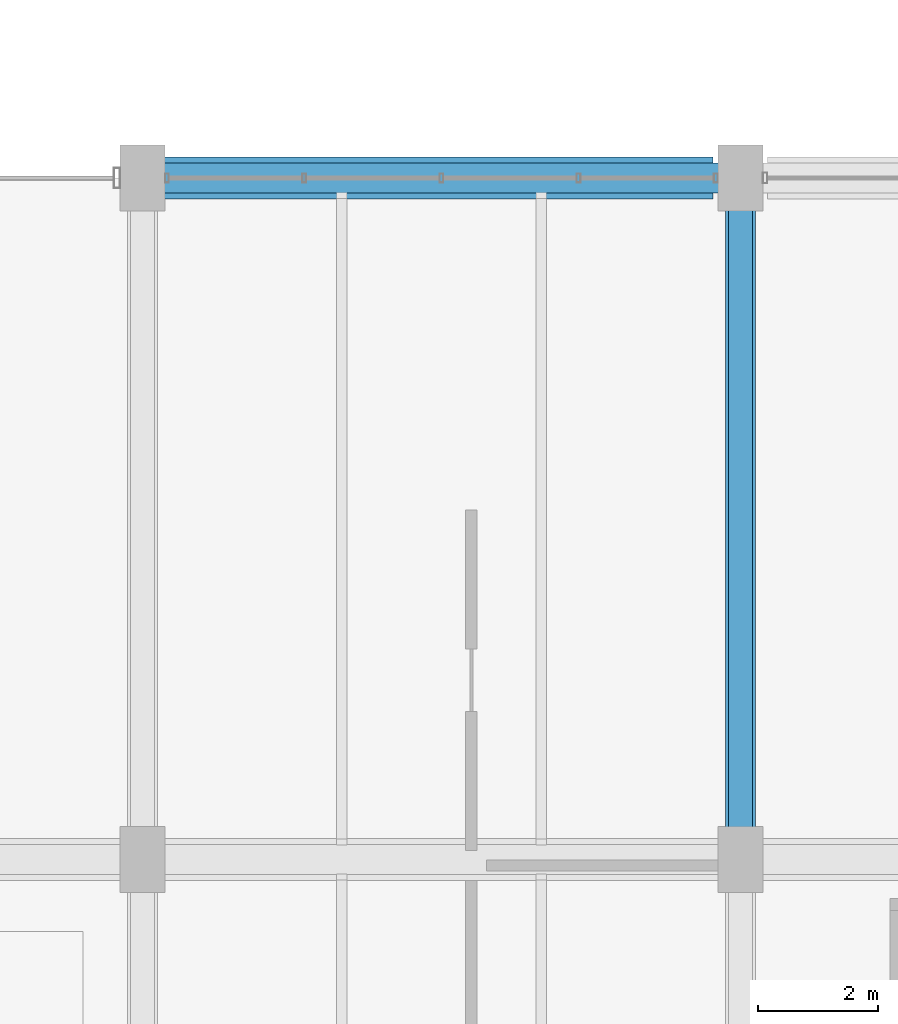
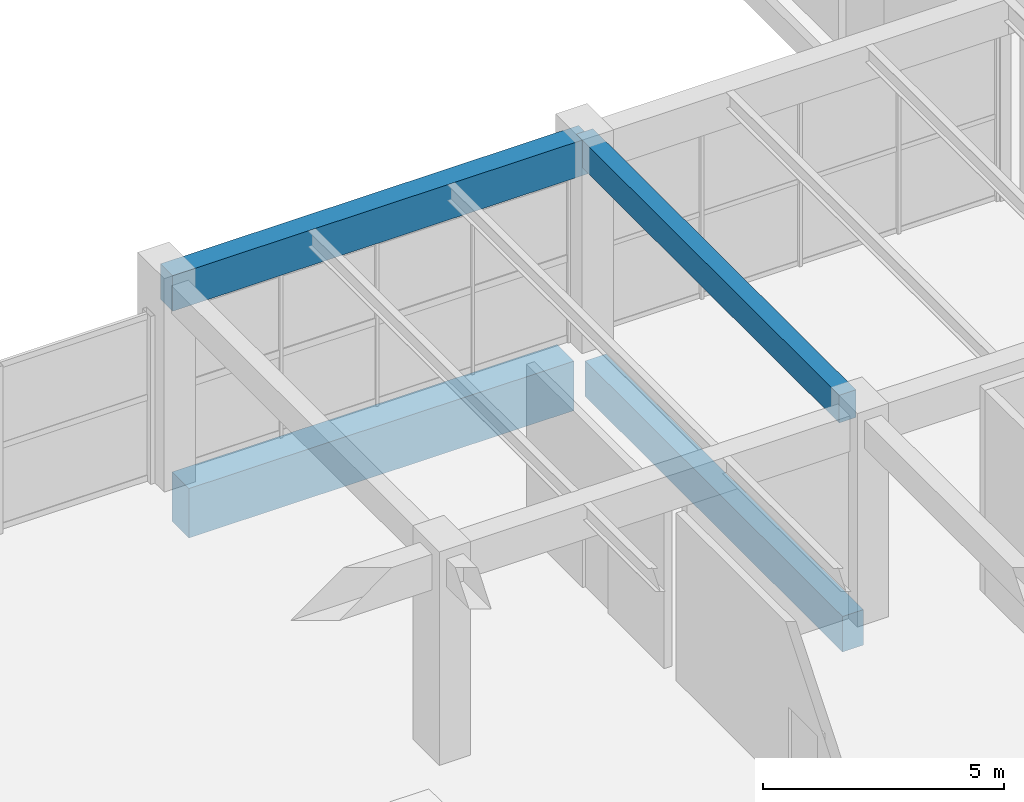
# One storey, part 40 of 113: 4 beams.
"""IFC4 building model written with IfcOpenShell, lengths in metres."""

from ifc_helpers import new_model, si_unit, direction, frame, origin, origin_2d, place, context, subcontext, project, spatial, rectangle, extrude, material, material_profile, profile_set, type_object, element, save


model = new_model("IFC4")

# Units and contexts
model_context = context("Model", 3, precision=1e-05, world=origin(), true_north=direction((0.0, 1.0)))
body_context = subcontext(model_context, "Body", "Model", "MODEL_VIEW")
ifc_project = project(units=[si_unit("LENGTHUNIT", "METRE"), si_unit("AREAUNIT", "SQUARE_METRE"), si_unit("VOLUMEUNIT", "CUBIC_METRE"), si_unit("PLANEANGLEUNIT", "RADIAN"), si_unit("MASSUNIT", "GRAM", prefix="KILO"), si_unit("POWERUNIT", "WATT"), si_unit("THERMODYNAMICTEMPERATUREUNIT", "KELVIN")], contexts=[model_context])

# Site, building, storey
site_placement = place(None, origin())
site = spatial("IfcSite", under=ifc_project, at=site_placement, CompositionType="ELEMENT")
building_placement = place(site_placement, origin())
building = spatial("IfcBuilding", under=site, at=building_placement, Name="Kelmbourne Parkland Aquatics Centre", CompositionType="ELEMENT")
storey_placement = place(building_placement, origin())
storey = spatial("IfcBuildingStorey", under=building, at=storey_placement, Name="L00", CompositionType="ELEMENT", Elevation=0.0)

# Beams
ifc_material_1 = material(Name="Concrete C40/50", Category="concrete")
ifc_material_profile_1 = material_profile(ifc_material_1, rectangle(XDim=0.5, YDim=0.89990234375, at=origin_2d()), Name="RC 500x900")
ifc_profile_set_1 = profile_set([ifc_material_profile_1], Name="Concrete C40/50")
beam_type_1 = type_object("IfcBeamType", Name="BM-G03", PredefinedType="BEAM", material=ifc_profile_set_1)
beam_1_placement = place(storey_placement, frame((86.0, 12.47998046875, -0.72998046875), z_axis=(0.0, 1.0, 0.0), x_axis=(-1.0, 0.0, 0.0)))
element("IfcBeam", 1, at=beam_1_placement, inside=storey, type_object=beam_type_1, Name="Primary girder 03-04 Grid K (L00)", PredefinedType="BEAM", context=body_context, shape_type="SweptSolid", body=[
    extrude(rectangle(XDim=0.5, YDim=0.89990234375, at=origin_2d()), origin(), (0.0, 0.0, 1.0), 10.6650390625),
])
beam_2_placement = place(storey_placement, frame((76.0, 23.60009765625, 4.7099609375), z_axis=(1.0, 0.0, 0.0), x_axis=(0.0, 1.0, 0.0)))
element("IfcBeam", 2, at=beam_2_placement, inside=storey, type_object=beam_type_1, Name="Primary girder J-K Grid 04 (L01)", PredefinedType="BEAM", context=body_context, shape_type="SweptSolid", body=[
    extrude(rectangle(XDim=0.5, YDim=0.89990234375, at=origin_2d()), origin(), (0.0, 0.0, 1.0), 10.0),
])
ifc_material_profile_2 = material_profile(ifc_material_1, rectangle(XDim=0.39990234375, YDim=0.699951171875, at=origin_2d()), Name="RC 400x700")
ifc_profile_set_2 = profile_set([ifc_material_profile_2], Name="Concrete C40/50")
beam_type_2 = type_object("IfcBeamType", Name="BM-G05", PredefinedType="BEAM", material=ifc_profile_set_2)
beam_3_placement = place(storey_placement, frame((86.0, 12.705078125, 4.81005859375), z_axis=(0.0, 1.0, 0.0), x_axis=(-1.0, 0.0, 0.0)))
element("IfcBeam", 3, at=beam_3_placement, inside=storey, type_object=beam_type_2, Name="Primary girder 03-04 Grid K (L01)", PredefinedType="BEAM", context=body_context, shape_type="SweptSolid", body=[
    extrude(rectangle(XDim=0.39990234375, YDim=0.699951171875, at=origin_2d()), origin(), (0.0, 0.0, 1.0), 10.89501953125),
])
ifc_material_2 = material(Name="Concrete C50/60", Category="concrete")
ifc_material_profile_3 = material_profile(ifc_material_2, rectangle(XDim=0.699951171875, YDim=1.25, at=origin_2d()), Name="RC 700x1250")
ifc_profile_set_3 = profile_set([ifc_material_profile_3], Name="Concrete C50/60")
beam_type_3 = type_object("IfcBeamType", Name="BM-G08", PredefinedType="BEAM", material=ifc_profile_set_3)
beam_4_placement = place(storey_placement, frame((76.330078125, 23.60009765625, -0.905029296875), z_axis=(1.0, 0.0, 0.0), x_axis=(0.0, 1.0, 0.0)))
element("IfcBeam", 4, at=beam_4_placement, inside=storey, type_object=beam_type_3, Name="Primary girder J-K Grid 04 (L00)", PredefinedType="BEAM", context=body_context, shape_type="SweptSolid", body=[
    extrude(rectangle(XDim=0.699951171875, YDim=1.25, at=origin_2d()), origin(), (0.0, 0.0, 1.0), 9.21484375),
])

save(model, "model.ifc")
